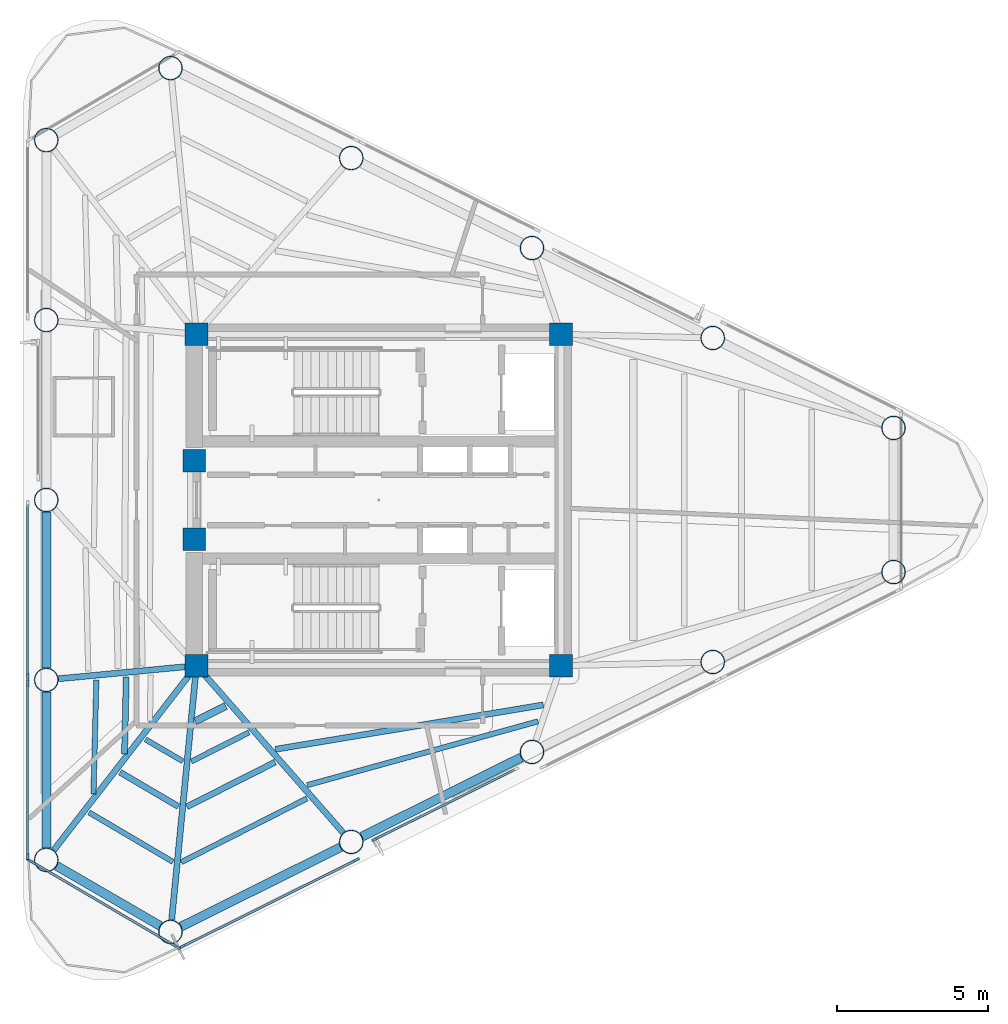
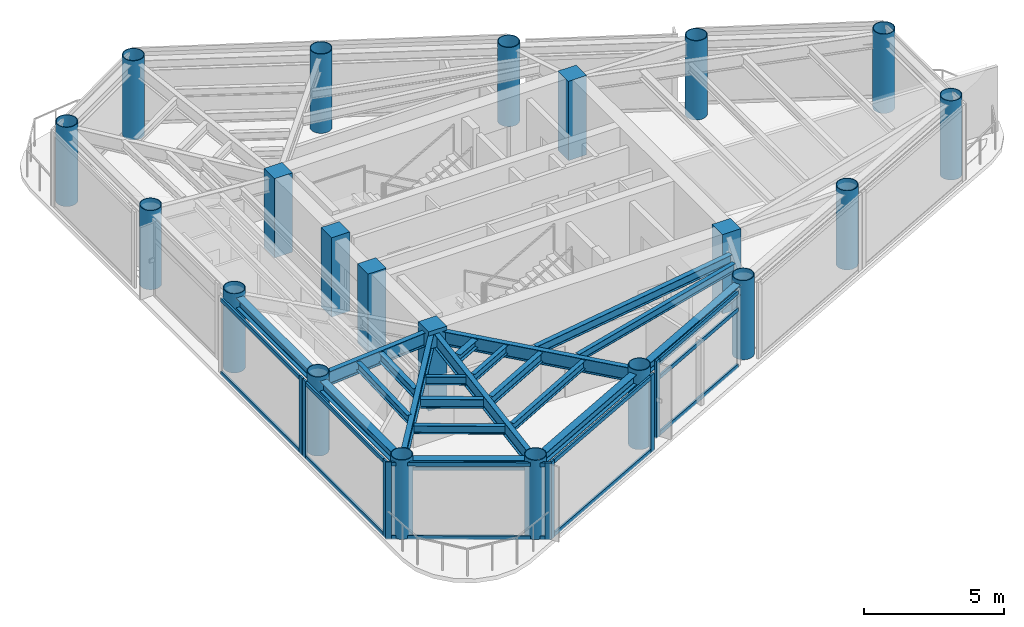
# One storey, part 1 of 10: 21 columns, 20 beams, 19 members, 5 elements without a shape of their own.
"""IFC4 building model written with IfcOpenShell, lengths in metres."""

from ifc_helpers import new_model, si_unit, direction, frame, origin, origin_2d, place, context, subcontext, project, spatial, rectangle, hollow_circle, i_section, extrude, source, transform, mapped, material, layer, layer_set, material_profile, profile_set, type_object, element, aggregate, save


model = new_model("IFC4")

# Units and contexts
model_context = context("Model", 3, precision=1e-05, world=origin(), true_north=direction((0.0, 1.0)))
body_context = subcontext(model_context, "Body", "Model", "MODEL_VIEW")
ifc_project = project(units=[si_unit("LENGTHUNIT", "METRE"), si_unit("AREAUNIT", "SQUARE_METRE"), si_unit("VOLUMEUNIT", "CUBIC_METRE"), si_unit("PLANEANGLEUNIT", "RADIAN"), si_unit("MASSUNIT", "GRAM", prefix="KILO")], contexts=[model_context])

# Site, building, storey
site_placement = place(None, origin())
site = spatial("IfcSite", under=ifc_project, at=site_placement, CompositionType="ELEMENT")
building_placement = place(site_placement, origin())
building = spatial("IfcBuilding", under=site, at=building_placement, Name="Yunling Apex Tower", CompositionType="ELEMENT")
storey_placement = place(building_placement, frame((0.0, 0.0, 289.85009765625)))
storey = spatial("IfcBuildingStorey", under=building, at=storey_placement, Name="L70", CompositionType="ELEMENT", Elevation=289.85009765625)

# Columns
ifc_material_1 = material(Name="Concrete C50", Category="concrete")
ifc_material_profile_1 = material_profile(ifc_material_1, rectangle(XDim=0.75, YDim=0.75, at=origin_2d()))
ifc_profile_set_1 = profile_set([ifc_material_profile_1], Name="Concrete C50")
column_type_1 = type_object("IfcColumnType", Name="PC-SRC-4", PredefinedType="COLUMN", material=ifc_profile_set_1)
shared_shape_1 = source(origin(), body_context, "Body", "SweptSolid", [
    extrude(rectangle(XDim=0.75, YDim=0.75, at=origin_2d()), origin(), (0.0, 0.0, 1.0), 3.449951171875),
])
for number, where, z_axis, x_axis, name in (
    (1, (-6.050048828125, -5.5, 0.0), (0.0, 0.0, 1.0), (1.0, 0.0, 0.0), "L70 Core Spine Column CC-SW"),
    (2, (6.050048828125, -5.5, 0.0), (0.0, 0.0, 1.0), (1.0, 0.0, 0.0), "L70 Core Spine Column CC-SE"),
    (3, (6.050048828125, 5.5, 0.0), (0.0, 0.0, 1.0), (1.0, 0.0, 0.0), "L70 Core Spine Column CC-NE"),
    (4, (-6.050048828125, 5.5, 0.0), (0.0, 0.0, 1.0), (1.0, 0.0, 0.0), "L70 Core Spine Column CC-NW"),
    (5, (-6.125, -1.300048828125, 0.0), (0.0, 0.0, 1.0), (1.0, 0.0, 0.0), "L70 Core West Portal Jamb Column S"),
    (6, (-6.125, 1.300048828125, 0.0), (0.0, 0.0, 1.0), (1.0, 0.0, 0.0), "L70 Core West Portal Jamb Column N"),
):
    element("IfcColumn", number, at=place(storey_placement, frame(where, z_axis=z_axis, x_axis=x_axis)), inside=storey, type_object=column_type_1, Name=name, PredefinedType="COLUMN", context=body_context, shape_type="MappedRepresentation", body=[
        mapped(shared_shape_1, transform((0.0, 0.0, 0.0), scale=1.0)),
    ])
ifc_material_2 = material(Name="Steel Q355B", Category="steel")
ifc_material_profile_2 = material_profile(ifc_material_2, hollow_circle(Radius=0.39990234375, WallThickness=0.028076171875, at=origin_2d()))
ifc_profile_set_2 = profile_set([ifc_material_profile_2], Name="Steel Q355B")
column_type_2 = type_object("IfcColumnType", Name="MC-CFST-7", PredefinedType="COLUMN", material=ifc_profile_set_2)
shared_shape_2 = source(origin(), body_context, "Body", "SweptSolid", [
    extrude(hollow_circle(Radius=0.39990234375, WallThickness=0.028076171875, at=origin_2d()), origin(), (0.0, 0.0, 1.0), 3.449951171875),
])
for number, where, z_axis, x_axis, name in (
    (7, (-6.9140625, -14.336669921875, 0.0), (0.0, 0.0, 1.0), (1.0, 0.0, 0.0), "L70 Perimeter CFST Mega-Column P01"),
    (8, (-0.913818359375, -11.350341796875, 0.0), (0.0, 0.0, 1.0), (1.0, 0.0, 0.0), "L70 Perimeter CFST Mega-Column P02"),
    (9, (5.086181640625, -8.364013671875, 0.0), (0.0, 0.0, 1.0), (1.0, 0.0, 0.0), "L70 Perimeter CFST Mega-Column P03"),
    (10, (11.08642578125, -5.377685546875, 0.0), (0.0, 0.0, 1.0), (1.0, 0.0, 0.0), "L70 Perimeter CFST Mega-Column P04"),
    (11, (17.086669921875, -2.3916015625, 0.0), (0.0, 0.0, 1.0), (1.0, 0.0, 0.0), "L70 Perimeter CFST Mega-Column P05"),
    (12, (17.086669921875, 2.3916015625, 0.0), (0.0, 0.0, 1.0), (1.0, 0.0, 0.0), "L70 Perimeter CFST Mega-Column P06"),
    (13, (11.08642578125, 5.377685546875, 0.0), (0.0, 0.0, 1.0), (1.0, 0.0, 0.0), "L70 Perimeter CFST Mega-Column P07"),
    (14, (5.086181640625, 8.364013671875, 0.0), (0.0, 0.0, 1.0), (1.0, 0.0, 0.0), "L70 Perimeter CFST Mega-Column P08"),
    (15, (-0.913818359375, 11.350341796875, 0.0), (0.0, 0.0, 1.0), (1.0, 0.0, 0.0), "L70 Perimeter CFST Mega-Column P09"),
    (16, (-6.9140625, 14.336669921875, 0.0), (0.0, 0.0, 1.0), (1.0, 0.0, 0.0), "L70 Perimeter CFST Mega-Column P10"),
    (17, (-11.037353515625, 11.9453125, 0.0), (0.0, 0.0, 1.0), (1.0, 0.0, 0.0), "L70 Perimeter CFST Mega-Column P11"),
    (18, (-11.037353515625, 5.97265625, 0.0), (0.0, 0.0, 1.0), (1.0, 0.0, 0.0), "L70 Perimeter CFST Mega-Column P12"),
    (19, (-11.037353515625, 0.0, 0.0), (0.0, 0.0, 1.0), (1.0, 0.0, 0.0), "L70 Perimeter CFST Mega-Column P13"),
    (20, (-11.037353515625, -5.97265625, 0.0), (0.0, 0.0, 1.0), (1.0, 0.0, 0.0), "L70 Perimeter CFST Mega-Column P14"),
    (21, (-11.037353515625, -11.9453125, 0.0), (0.0, 0.0, 1.0), (1.0, 0.0, 0.0), "L70 Perimeter CFST Mega-Column P15"),
):
    element("IfcColumn", number, at=place(storey_placement, frame(where, z_axis=z_axis, x_axis=x_axis)), inside=storey, type_object=column_type_2, Name=name, PredefinedType="COLUMN", context=body_context, shape_type="MappedRepresentation", body=[
        mapped(shared_shape_2, transform((0.0, 0.0, 0.0), scale=1.0)),
    ])

# Beams
ifc_material_profile_3 = material_profile(ifc_material_2, i_section(OverallWidth=0.300048828125, OverallDepth=0.43994140625, WebThickness=0.010986328125, FlangeThickness=0.01806640625, FilletRadius=0.02197265625, at=origin_2d()))
ifc_profile_set_3 = profile_set([ifc_material_profile_3], Name="Steel Q355B")
beam_type_1 = type_object("IfcBeamType", Name="BP-SPN-3", PredefinedType="SPANDREL", material=ifc_profile_set_3)
shared_shape_3 = source(origin(), body_context, "Body", "SweptSolid", [
    extrude(i_section(OverallWidth=0.300048828125, OverallDepth=0.43994140625, WebThickness=0.010986328125, FlangeThickness=0.01806640625, FilletRadius=0.02197265625, at=origin_2d()), origin(), (0.0, 0.0, 1.0), 5.914306640625),
])
for number, where, z_axis, x_axis, name in (
    (22, (-6.561279296875, -14.1611328125, 3.0498046875), (0.895243044542, 0.445578153861, 0.0), (-0.445578153861, 0.895243044542, 0.0), "L70 Perimeter Spandrel Beam 1"),
    (23, (-0.561279296875, -11.1748046875, 3.0498046875), (0.895267705164, 0.445528602999, 0.0), (-0.445528602999, 0.895267705164, 0.0), "L70 Perimeter Spandrel Beam 2"),
):
    element("IfcBeam", number, at=place(storey_placement, frame(where, z_axis=z_axis, x_axis=x_axis)), inside=storey, type_object=beam_type_1, Name=name, PredefinedType="SPANDREL", context=body_context, shape_type="MappedRepresentation", body=[
        mapped(shared_shape_3, transform((0.0, 0.0, 0.0), scale=1.0)),
    ])
shared_shape_4 = source(origin(), body_context, "Body", "SweptSolid", [
    extrude(i_section(OverallWidth=0.300048828125, OverallDepth=0.43994140625, WebThickness=0.010986328125, FlangeThickness=0.01806640625, FilletRadius=0.02197265625, at=origin_2d()), origin(), (0.0, 0.0, 1.0), 3.978515625),
])
beam_1_placement = place(storey_placement, frame((-10.696533203125, -12.142822265625, 3.0498046875), z_axis=(0.86503811344, -0.501706151343, 0.0), x_axis=(0.501706151343, 0.86503811344, 0.0)))
element("IfcBeam", 24, at=beam_1_placement, inside=storey, type_object=beam_type_1, Name="L70 Perimeter Spandrel Beam 15", PredefinedType="SPANDREL", context=body_context, shape_type="MappedRepresentation", body=[
    mapped(shared_shape_4, transform((0.0, 0.0, 0.0), scale=1.0)),
])
shared_shape_5 = source(origin(), body_context, "Body", "SweptSolid", [
    extrude(i_section(OverallWidth=0.300048828125, OverallDepth=0.43994140625, WebThickness=0.010986328125, FlangeThickness=0.01806640625, FilletRadius=0.02197265625, at=origin_2d()), origin(), (0.0, 0.0, 1.0), 5.1845703125),
])
for number, where, z_axis, x_axis, name in (
    (25, (-11.037353515625, -0.39404296875, 3.0498046875), (0.0, -1.0, 0.0), (1.0, 0.0, 0.0), "L70 Perimeter Spandrel Beam 13"),
    (26, (-11.037353515625, -6.36669921875, 3.0498046875), (0.0, -1.0, 0.0), (1.0, 0.0, 0.0), "L70 Perimeter Spandrel Beam 14"),
):
    element("IfcBeam", number, at=place(storey_placement, frame(where, z_axis=z_axis, x_axis=x_axis)), inside=storey, type_object=beam_type_1, Name=name, PredefinedType="SPANDREL", context=body_context, shape_type="MappedRepresentation", body=[
        mapped(shared_shape_5, transform((0.0, 0.0, 0.0), scale=1.0)),
    ])
ifc_material_profile_4 = material_profile(ifc_material_2, i_section(OverallWidth=0.199951171875, OverallDepth=0.60009765625, WebThickness=0.010986328125, FlangeThickness=0.01708984375, FilletRadius=0.02197265625, at=origin_2d()))
ifc_profile_set_4 = profile_set([ifc_material_profile_4], Name="Steel Q355B")
beam_type_2 = type_object("IfcBeamType", Name="BG-PRI-5", PredefinedType="USERDEFINED", material=ifc_profile_set_4)
shared_shape_6 = source(origin(), body_context, "Body", "SweptSolid", [
    extrude(i_section(OverallWidth=0.199951171875, OverallDepth=0.60009765625, WebThickness=0.010986328125, FlangeThickness=0.01708984375, FilletRadius=0.02197265625, at=origin_2d()), origin(), (0.0, 0.0, 1.0), 8.390869140625),
])
beam_2_placement = place(storey_placement, frame((-6.874267578125, -13.9306640625, 2.969970703125), z_axis=(0.097296792844, 0.995255411491, 0.0), x_axis=(-0.995255411491, 0.097296792844, 0.0)))
element("IfcBeam", 27, at=beam_2_placement, inside=storey, type_object=beam_type_2, Name="L70 Radial Primary Girder R01", ObjectType="GIRDER", PredefinedType="USERDEFINED", context=body_context, shape_type="MappedRepresentation", body=[
    mapped(shared_shape_6, transform((0.0, 0.0, 0.0), scale=1.0)),
])
shared_shape_7 = source(origin(), body_context, "Body", "SweptSolid", [
    extrude(i_section(OverallWidth=0.199951171875, OverallDepth=0.60009765625, WebThickness=0.010986328125, FlangeThickness=0.01708984375, FilletRadius=0.02197265625, at=origin_2d()), origin(), (0.0, 0.0, 1.0), 7.297119140625),
])
beam_3_placement = place(storey_placement, frame((-1.18310546875, -11.043701171875, 2.969970703125), z_axis=(-0.659747259747, 0.751487560281, 0.0), x_axis=(-0.751487560281, -0.659747259747, 0.0)))
element("IfcBeam", 28, at=beam_3_placement, inside=storey, type_object=beam_type_2, Name="L70 Radial Primary Girder R02", ObjectType="GIRDER", PredefinedType="USERDEFINED", context=body_context, shape_type="MappedRepresentation", body=[
    mapped(shared_shape_7, transform((0.0, 0.0, 0.0), scale=1.0)),
])
shared_shape_8 = source(origin(), body_context, "Body", "SweptSolid", [
    extrude(i_section(OverallWidth=0.199951171875, OverallDepth=0.60009765625, WebThickness=0.010986328125, FlangeThickness=0.01708984375, FilletRadius=0.02197265625, at=origin_2d()), origin(), (0.0, 0.0, 1.0), 7.661376953125),
])
beam_4_placement = place(storey_placement, frame((-10.78759765625, -11.62255859375, 2.969970703125), z_axis=(0.611959789037, 0.790888877531, 0.0), x_axis=(-0.790888877531, 0.611959789037, 0.0)))
element("IfcBeam", 29, at=beam_4_placement, inside=storey, type_object=beam_type_2, Name="L70 Radial Primary Girder R15", ObjectType="GIRDER", PredefinedType="USERDEFINED", context=body_context, shape_type="MappedRepresentation", body=[
    mapped(shared_shape_8, transform((0.0, 0.0, 0.0), scale=1.0)),
])
shared_shape_9 = source(origin(), body_context, "Body", "SweptSolid", [
    extrude(i_section(OverallWidth=0.199951171875, OverallDepth=0.60009765625, WebThickness=0.010986328125, FlangeThickness=0.01708984375, FilletRadius=0.02197265625, at=origin_2d()), origin(), (0.0, 0.0, 1.0), 4.521728515625),
])
beam_5_placement = place(storey_placement, frame((-10.631103515625, -5.93408203125, 2.969970703125), z_axis=(0.99554122067, 0.094327503661, 0.0), x_axis=(-0.094327503661, 0.99554122067, 0.0)))
element("IfcBeam", 30, at=beam_5_placement, inside=storey, type_object=beam_type_2, Name="L70 Radial Primary Girder R14", ObjectType="GIRDER", PredefinedType="USERDEFINED", context=body_context, shape_type="MappedRepresentation", body=[
    mapped(shared_shape_9, transform((0.0, 0.0, 0.0), scale=1.0)),
])
ifc_material_profile_5 = material_profile(ifc_material_2, i_section(OverallWidth=0.199951171875, OverallDepth=0.39990234375, WebThickness=0.008056640625, FlangeThickness=0.012939453125, FilletRadius=0.01611328125, at=origin_2d()))
ifc_profile_set_5 = profile_set([ifc_material_profile_5], Name="Steel Q355B")
beam_type_3 = type_object("IfcBeamType", Name="BS-SEC-4", PredefinedType="BEAM", material=ifc_profile_set_5)
shared_shape_10 = source(origin(), body_context, "Body", "SweptSolid", [
    extrude(i_section(OverallWidth=0.199951171875, OverallDepth=0.39990234375, WebThickness=0.008056640625, FlangeThickness=0.012939453125, FilletRadius=0.01611328125, at=origin_2d()), origin(), (0.0, 0.0, 1.0), 3.281494140625),
])
beam_6_placement = place(storey_placement, frame((-6.372314453125, -10.18408203125, 3.06982421875), z_axis=(0.892364297468, 0.451315810275, 0.0), x_axis=(-0.451315810275, 0.892364297468, 0.0)))
element("IfcBeam", 31, at=beam_6_placement, inside=storey, type_object=beam_type_3, Name="L70 Composite Floor Beam BS-1", PredefinedType="BEAM", context=body_context, shape_type="MappedRepresentation", body=[
    mapped(shared_shape_10, transform((0.0, 0.0, 0.0), scale=1.0)),
])
ifc_material_profile_6 = material_profile(ifc_material_2, i_section(OverallWidth=0.175048828125, OverallDepth=0.35009765625, WebThickness=0.007080078125, FlangeThickness=0.010986328125, FilletRadius=0.013916015625, at=origin_2d()))
ifc_profile_set_6 = profile_set([ifc_material_profile_6], Name="Steel Q355B")
beam_type_4 = type_object("IfcBeamType", Name="BJ-JST-1", PredefinedType="JOIST", material=ifc_profile_set_6)
shared_shape_11 = source(origin(), body_context, "Body", "SweptSolid", [
    extrude(i_section(OverallWidth=0.175048828125, OverallDepth=0.35009765625, WebThickness=0.007080078125, FlangeThickness=0.010986328125, FilletRadius=0.013916015625, at=origin_2d()), origin(), (0.0, 0.0, 1.0), 4.67138671875),
])
beam_7_placement = place(storey_placement, frame((-6.552001953125, -12.02099609375, 3.094970703125), z_axis=(0.892031280848, 0.45197366515, 0.0), x_axis=(-0.45197366515, 0.892031280848, 0.0)))
element("IfcBeam", 32, at=beam_7_placement, inside=storey, type_object=beam_type_4, Name="L70 Composite Floor Joist BJ1-1", PredefinedType="JOIST", context=body_context, shape_type="MappedRepresentation", body=[
    mapped(shared_shape_11, transform((0.0, 0.0, 0.0), scale=1.0)),
])
shared_shape_12 = source(origin(), body_context, "Body", "SweptSolid", [
    extrude(i_section(OverallWidth=0.175048828125, OverallDepth=0.35009765625, WebThickness=0.007080078125, FlangeThickness=0.010986328125, FilletRadius=0.013916015625, at=origin_2d()), origin(), (0.0, 0.0, 1.0), 2.143798828125),
])
beam_8_placement = place(storey_placement, frame((-6.22509765625, -8.680908203125, 3.094970703125), z_axis=(0.892941835578, 0.45017205408, 0.0), x_axis=(-0.45017205408, 0.892941835578, 0.0)))
element("IfcBeam", 33, at=beam_8_placement, inside=storey, type_object=beam_type_4, Name="L70 Composite Floor Joist BJ3-1", PredefinedType="JOIST", context=body_context, shape_type="MappedRepresentation", body=[
    mapped(shared_shape_12, transform((0.0, 0.0, 0.0), scale=1.0)),
])
ifc_material_profile_7 = material_profile(ifc_material_2, i_section(OverallWidth=0.25, OverallDepth=0.340087890625, WebThickness=0.009033203125, FlangeThickness=0.013916015625, FilletRadius=0.01806640625, at=origin_2d()))
ifc_profile_set_7 = profile_set([ifc_material_profile_7], Name="Steel Q355B")
beam_type_5 = type_object("IfcBeamType", Name="BJ-JST-2", PredefinedType="JOIST", material=ifc_profile_set_7)
shared_shape_13 = source(origin(), body_context, "Body", "SweptSolid", [
    extrude(i_section(OverallWidth=0.25, OverallDepth=0.340087890625, WebThickness=0.009033203125, FlangeThickness=0.013916015625, FilletRadius=0.01806640625, at=origin_2d()), origin(), (0.0, 0.0, 1.0), 1.1328125),
])
beam_9_placement = place(storey_placement, frame((-6.09423828125, -7.34521484375, 3.099853515625), z_axis=(0.894211562533, 0.447644592765, 0.0), x_axis=(-0.447644592765, 0.894211562533, 0.0)))
element("IfcBeam", 34, at=beam_9_placement, inside=storey, type_object=beam_type_5, Name="L70 Composite Floor Joist BJ2-1", PredefinedType="JOIST", context=body_context, shape_type="MappedRepresentation", body=[
    mapped(shared_shape_13, transform((0.0, 0.0, 0.0), scale=1.0)),
])
shared_shape_14 = source(origin(), body_context, "Body", "SweptSolid", [
    extrude(i_section(OverallWidth=0.199951171875, OverallDepth=0.39990234375, WebThickness=0.008056640625, FlangeThickness=0.012939453125, FilletRadius=0.01611328125, at=origin_2d()), origin(), (0.0, 0.0, 1.0), 9.01611328125),
])
beam_10_placement = place(storey_placement, frame((-3.432373046875, -8.27587890625, 3.06982421875), z_axis=(0.986561729833, 0.163388962996, 0.0), x_axis=(-0.163388962996, 0.986561729833, 0.0)))
element("IfcBeam", 35, at=beam_10_placement, inside=storey, type_object=beam_type_3, Name="L70 Composite Floor Beam BS-2", PredefinedType="BEAM", context=body_context, shape_type="MappedRepresentation", body=[
    mapped(shared_shape_14, transform((0.0, 0.0, 0.0), scale=1.0)),
])
shared_shape_15 = source(origin(), body_context, "Body", "SweptSolid", [
    extrude(i_section(OverallWidth=0.175048828125, OverallDepth=0.35009765625, WebThickness=0.007080078125, FlangeThickness=0.010986328125, FilletRadius=0.013916015625, at=origin_2d()), origin(), (0.0, 0.0, 1.0), 7.952392578125),
])
beam_11_placement = place(storey_placement, frame((-2.376708984375, -9.4658203125, 3.094970703125), z_axis=(0.963874198485, 0.266357897377, 0.0), x_axis=(-0.266357897377, 0.963874198485, 0.0)))
element("IfcBeam", 36, at=beam_11_placement, inside=storey, type_object=beam_type_4, Name="L70 Composite Floor Joist BJ1-2", PredefinedType="JOIST", context=body_context, shape_type="MappedRepresentation", body=[
    mapped(shared_shape_15, transform((0.0, 0.0, 0.0), scale=1.0)),
])
shared_shape_16 = source(origin(), body_context, "Body", "SweptSolid", [
    extrude(i_section(OverallWidth=0.199951171875, OverallDepth=0.39990234375, WebThickness=0.008056640625, FlangeThickness=0.012939453125, FilletRadius=0.01611328125, at=origin_2d()), origin(), (0.0, 0.0, 1.0), 2.552734375),
])
beam_12_placement = place(storey_placement, frame((-8.3837890625, -5.880859375, 3.06982421875), z_axis=(-0.021902331041, -0.999760115175, 0.0), x_axis=(0.999760115175, -0.021902331041, 0.0)))
element("IfcBeam", 37, at=beam_12_placement, inside=storey, type_object=beam_type_3, Name="L70 Composite Floor Beam BS-14", PredefinedType="BEAM", context=body_context, shape_type="MappedRepresentation", body=[
    mapped(shared_shape_16, transform((0.0, 0.0, 0.0), scale=1.0)),
])
shared_shape_17 = source(origin(), body_context, "Body", "SweptSolid", [
    extrude(i_section(OverallWidth=0.175048828125, OverallDepth=0.35009765625, WebThickness=0.007080078125, FlangeThickness=0.010986328125, FilletRadius=0.013916015625, at=origin_2d()), origin(), (0.0, 0.0, 1.0), 3.792724609375),
])
beam_13_placement = place(storey_placement, frame((-9.374755859375, -5.974609375, 3.094970703125), z_axis=(-0.02529776075, -0.999679960438, 0.0), x_axis=(0.999679960438, -0.02529776075, 0.0)))
element("IfcBeam", 38, at=beam_13_placement, inside=storey, type_object=beam_type_4, Name="L70 Composite Floor Joist BJ1-14", PredefinedType="JOIST", context=body_context, shape_type="MappedRepresentation", body=[
    mapped(shared_shape_17, transform((0.0, 0.0, 0.0), scale=1.0)),
])
shared_shape_18 = source(origin(), body_context, "Body", "SweptSolid", [
    extrude(i_section(OverallWidth=0.199951171875, OverallDepth=0.39990234375, WebThickness=0.008056640625, FlangeThickness=0.012939453125, FilletRadius=0.01611328125, at=origin_2d()), origin(), (0.0, 0.0, 1.0), 2.243408203125),
])
beam_14_placement = place(storey_placement, frame((-8.586669921875, -9.03759765625, 3.06982421875), z_axis=(0.861925822056, -0.507034394566, 0.0), x_axis=(0.507034394566, 0.861925822056, 0.0)))
element("IfcBeam", 39, at=beam_14_placement, inside=storey, type_object=beam_type_3, Name="L70 Composite Floor Beam BS-15", PredefinedType="BEAM", context=body_context, shape_type="MappedRepresentation", body=[
    mapped(shared_shape_18, transform((0.0, 0.0, 0.0), scale=1.0)),
])
shared_shape_19 = source(origin(), body_context, "Body", "SweptSolid", [
    extrude(i_section(OverallWidth=0.175048828125, OverallDepth=0.35009765625, WebThickness=0.007080078125, FlangeThickness=0.010986328125, FilletRadius=0.013916015625, at=origin_2d()), origin(), (0.0, 0.0, 1.0), 3.233642578125),
])
beam_15_placement = place(storey_placement, frame((-9.618408203125, -10.37060546875, 3.094970703125), z_axis=(0.861549665957, -0.507673293655, 0.0), x_axis=(0.507673293655, 0.861549665957, 0.0)))
element("IfcBeam", 40, at=beam_15_placement, inside=storey, type_object=beam_type_4, Name="L70 Composite Floor Joist BJ1-15", PredefinedType="JOIST", context=body_context, shape_type="MappedRepresentation", body=[
    mapped(shared_shape_19, transform((0.0, 0.0, 0.0), scale=1.0)),
])
shared_shape_20 = source(origin(), body_context, "Body", "SweptSolid", [
    extrude(i_section(OverallWidth=0.175048828125, OverallDepth=0.35009765625, WebThickness=0.007080078125, FlangeThickness=0.010986328125, FilletRadius=0.013916015625, at=origin_2d()), origin(), (0.0, 0.0, 1.0), 1.43359375),
])
beam_16_placement = place(storey_placement, frame((-7.74267578125, -7.94677734375, 3.094970703125), z_axis=(0.862559589494, -0.50595548675, 0.0), x_axis=(0.50595548675, 0.862559589494, 0.0)))
element("IfcBeam", 41, at=beam_16_placement, inside=storey, type_object=beam_type_4, Name="L70 Composite Floor Joist BJ3-15", PredefinedType="JOIST", context=body_context, shape_type="MappedRepresentation", body=[
    mapped(shared_shape_20, transform((0.0, 0.0, 0.0), scale=1.0)),
])

# Curtain wall, members
ifc_material_3 = material(Name="Bronze anodised aluminium", Category="aluminium")
ifc_layer = layer(ifc_material_3, 0.219970703125)
ifc_layer_set = layer_set([ifc_layer], Name="Bronze anodised aluminium")
curtain_wall_type = type_object("IfcCurtainWallType", Name="CW-SYS-4", PredefinedType="NOTDEFINED", material=ifc_layer_set)
curtain_wall_1_placement = place(storey_placement, origin())
curtain_wall_1 = element("IfcCurtainWall", 42, at=curtain_wall_1_placement, inside=storey, type_object=curtain_wall_type, Name="CW-L70-F1-B1", PredefinedType="NOTDEFINED")
ifc_material_profile_8 = material_profile(ifc_material_3, rectangle(XDim=0.080078125, YDim=0.219970703125, at=origin_2d()))
ifc_profile_set_8 = profile_set([ifc_material_profile_8], Name="Bronze anodised aluminium")
member_type_1 = type_object("IfcMemberType", Name="CW-MUL-4", PredefinedType="MULLION", material=ifc_profile_set_8)
shared_shape_21 = source(origin(), body_context, "Body", "SweptSolid", [
    extrude(rectangle(XDim=0.080078125, YDim=0.219970703125, at=origin_2d()), origin(), (0.0, 0.0, 1.0), 3.369873046875),
])
member_1_placement = place(storey_placement, frame((-6.534912109375, -14.829345703125, -0.050048828125), z_axis=(0.0, 0.0, 1.0), x_axis=(-0.445568135078, 0.895248030996, 0.0)))
member_1 = element("IfcMember", 43, at=member_1_placement, type_object=member_type_1, Name="CW-SYS-4 mullion 1", PredefinedType="MULLION", context=body_context, shape_type="MappedRepresentation", body=[
    mapped(shared_shape_21, transform((0.0, 0.0, 0.0), scale=1.0)),
])
member_2_placement = place(storey_placement, frame((-0.74951171875, -11.949951171875, -0.050048828125), z_axis=(0.0, 0.0, 1.0), x_axis=(-0.445568135078, 0.895248030996, 0.0)))
member_2 = element("IfcMember", 44, at=member_2_placement, type_object=member_type_1, Name="CW-SYS-4 mullion 2", PredefinedType="MULLION", context=body_context, shape_type="MappedRepresentation", body=[
    mapped(shared_shape_21, transform((0.0, 0.0, 0.0), scale=1.0)),
])

# Curtain wall, member
curtain_wall_2_placement = place(storey_placement, origin())
curtain_wall_2 = element("IfcCurtainWall", 45, at=curtain_wall_2_placement, inside=storey, type_object=curtain_wall_type, Name="CW-L70-F1-B2", PredefinedType="NOTDEFINED")
member_3_placement = place(storey_placement, frame((-0.131103515625, -11.262451171875, -0.050048828125), z_axis=(0.0, 0.0, 1.0), x_axis=(-0.445560721723, 0.895251720611, 0.0)))
member_3 = element("IfcMember", 46, at=member_3_placement, type_object=member_type_1, Name="CW-SYS-4 mullion 1", PredefinedType="MULLION", context=body_context, shape_type="MappedRepresentation", body=[
    mapped(shared_shape_21, transform((0.0, 0.0, 0.0), scale=1.0)),
])

curtain_wall_3_placement = place(storey_placement, origin())
curtain_wall_3 = element("IfcCurtainWall", 47, at=curtain_wall_3_placement, inside=storey, type_object=curtain_wall_type, Name="CW-L70-F3-B3", PredefinedType="NOTDEFINED")
member_4_placement = place(storey_placement, frame((-11.647216796875, -5.8525390625, -0.050048828125), z_axis=(0.0, 0.0, 1.0), x_axis=(1.0, 0.0, 0.0)))
member_4 = element("IfcMember", 48, at=member_4_placement, type_object=member_type_1, Name="CW-SYS-4 mullion 2", PredefinedType="MULLION", context=body_context, shape_type="MappedRepresentation", body=[
    mapped(shared_shape_21, transform((0.0, 0.0, 0.0), scale=1.0)),
])

# Curtain wall, members
curtain_wall_4_placement = place(storey_placement, origin())
curtain_wall_4 = element("IfcCurtainWall", 49, at=curtain_wall_4_placement, inside=storey, type_object=curtain_wall_type, Name="CW-L70-F3-B4", PredefinedType="NOTDEFINED")
member_5_placement = place(storey_placement, frame((-11.647216796875, -6.092529296875, -0.050048828125), z_axis=(0.0, 0.0, 1.0), x_axis=(1.0, 0.0, 0.0)))
member_5 = element("IfcMember", 50, at=member_5_placement, type_object=member_type_1, Name="CW-SYS-4 mullion 1", PredefinedType="MULLION", context=body_context, shape_type="MappedRepresentation", body=[
    mapped(shared_shape_21, transform((0.0, 0.0, 0.0), scale=1.0)),
])
member_6_placement = place(storey_placement, frame((-11.647216796875, -11.8251953125, -0.050048828125), z_axis=(0.0, 0.0, 1.0), x_axis=(1.0, 0.0, 0.0)))
member_6 = element("IfcMember", 51, at=member_6_placement, type_object=member_type_1, Name="CW-SYS-4 mullion 2", PredefinedType="MULLION", context=body_context, shape_type="MappedRepresentation", body=[
    mapped(shared_shape_21, transform((0.0, 0.0, 0.0), scale=1.0)),
])

curtain_wall_5_placement = place(storey_placement, origin())
curtain_wall_5 = element("IfcCurtainWall", 52, at=curtain_wall_5_placement, inside=storey, type_object=curtain_wall_type, Name="CW-L70-CRN3", PredefinedType="NOTDEFINED")
member_7_placement = place(storey_placement, frame((-11.5927734375, -11.96533203125, -0.050048828125), z_axis=(0.0, 0.0, 1.0), x_axis=(0.506069970256, 0.862492426173, 0.0)))
member_7 = element("IfcMember", 53, at=member_7_placement, type_object=member_type_1, Name="CW-SYS-4 mullion 1", PredefinedType="MULLION", context=body_context, shape_type="MappedRepresentation", body=[
    mapped(shared_shape_21, transform((0.0, 0.0, 0.0), scale=1.0)),
])
member_8_placement = place(storey_placement, frame((-6.685546875, -14.8447265625, -0.050048828125), z_axis=(0.0, 0.0, 1.0), x_axis=(0.506069970256, 0.862492426173, 0.0)))
member_8 = element("IfcMember", 54, at=member_8_placement, type_object=member_type_1, Name="CW-SYS-4 mullion 2", PredefinedType="MULLION", context=body_context, shape_type="MappedRepresentation", body=[
    mapped(shared_shape_21, transform((0.0, 0.0, 0.0), scale=1.0)),
])

# Member
ifc_material_profile_9 = material_profile(ifc_material_3, rectangle(XDim=0.080078125, YDim=0.169921875, at=origin_2d()))
ifc_profile_set_9 = profile_set([ifc_material_profile_9], Name="Bronze anodised aluminium")
member_type_2 = type_object("IfcMemberType", Name="CW-TRN-4", PredefinedType="USERDEFINED", material=ifc_profile_set_9)
shared_shape_22 = source(origin(), body_context, "Body", "SweptSolid", [
    extrude(rectangle(XDim=0.080078125, YDim=0.169921875, at=origin_2d()), origin(), (0.0, 0.0, 1.0), 6.39013671875),
])
member_9_placement = place(storey_placement, frame((-6.50244140625, -14.813232421875, 0.039794921875), z_axis=(0.89525092504, 0.445562320238, 0.0), x_axis=(-0.445562320238, 0.89525092504, 0.0)))
member_9 = element("IfcMember", 55, at=member_9_placement, type_object=member_type_2, Name="CW-SYS-4 transom 1.1", ObjectType="TRANSOM", PredefinedType="USERDEFINED", context=body_context, shape_type="MappedRepresentation", body=[
    mapped(shared_shape_22, transform((0.0, 0.0, 0.0), scale=1.0)),
])

member_10_placement = place(storey_placement, frame((-6.50244140625, -14.813232421875, 3.22998046875), z_axis=(0.89525092504, 0.445562320238, 0.0), x_axis=(-0.445562320238, 0.89525092504, 0.0)))
member_10 = element("IfcMember", 56, at=member_10_placement, type_object=member_type_2, Name="CW-SYS-4 transom 1.2", ObjectType="TRANSOM", PredefinedType="USERDEFINED", context=body_context, shape_type="MappedRepresentation", body=[
    mapped(shared_shape_22, transform((0.0, 0.0, 0.0), scale=1.0)),
])

aggregate(curtain_wall_1, [member_1, member_2, member_9, member_10])

shared_shape_23 = source(origin(), body_context, "Body", "SweptSolid", [
    extrude(rectangle(XDim=0.080078125, YDim=0.169921875, at=origin_2d()), origin(), (0.0, 0.0, 1.0), 5.150390625),
])
member_11_placement = place(storey_placement, frame((-0.098876953125, -11.246337890625, 0.039794921875), z_axis=(0.895259933779, 0.445544218871, 0.0), x_axis=(-0.445544218871, 0.895259933779, 0.0)))
member_11 = element("IfcMember", 57, at=member_11_placement, type_object=member_type_2, Name="CW-SYS-4 transom 1.1", ObjectType="TRANSOM", PredefinedType="USERDEFINED", context=body_context, shape_type="MappedRepresentation", body=[
    mapped(shared_shape_23, transform((0.0, 0.0, 0.0), scale=1.0)),
])

member_12_placement = place(storey_placement, frame((-0.098876953125, -11.246337890625, 2.485107421875), z_axis=(0.895259933779, 0.445544218871, 0.0), x_axis=(-0.445544218871, 0.895259933779, 0.0)))
member_12 = element("IfcMember", 58, at=member_12_placement, type_object=member_type_2, Name="CW-SYS-4 transom 1.2", ObjectType="TRANSOM", PredefinedType="USERDEFINED", context=body_context, shape_type="MappedRepresentation", body=[
    mapped(shared_shape_23, transform((0.0, 0.0, 0.0), scale=1.0)),
])

member_13_placement = place(storey_placement, frame((-0.098876953125, -11.246337890625, 3.22998046875), z_axis=(0.895259933779, 0.445544218871, 0.0), x_axis=(-0.445544218871, 0.895259933779, 0.0)))
member_13 = element("IfcMember", 59, at=member_13_placement, type_object=member_type_2, Name="CW-SYS-4 transom 1.3", ObjectType="TRANSOM", PredefinedType="USERDEFINED", context=body_context, shape_type="MappedRepresentation", body=[
    mapped(shared_shape_23, transform((0.0, 0.0, 0.0), scale=1.0)),
])

aggregate(curtain_wall_2, [member_3, member_11, member_12, member_13])

shared_shape_24 = source(origin(), body_context, "Body", "SweptSolid", [
    extrude(rectangle(XDim=0.080078125, YDim=0.169921875, at=origin_2d()), origin(), (0.0, 0.0, 1.0), 5.61767578125),
])
member_14_placement = place(storey_placement, frame((-11.561767578125, -11.983642578125, 0.039794921875), z_axis=(0.862486715055, -0.506079703558, 0.0), x_axis=(0.506079703558, 0.862486715055, 0.0)))
member_14 = element("IfcMember", 60, at=member_14_placement, type_object=member_type_2, Name="CW-SYS-4 transom 1.1", ObjectType="TRANSOM", PredefinedType="USERDEFINED", context=body_context, shape_type="MappedRepresentation", body=[
    mapped(shared_shape_24, transform((0.0, 0.0, 0.0), scale=1.0)),
])

member_15_placement = place(storey_placement, frame((-11.561767578125, -11.983642578125, 3.22998046875), z_axis=(0.862486715055, -0.506079703558, 0.0), x_axis=(0.506079703558, 0.862486715055, 0.0)))
member_15 = element("IfcMember", 61, at=member_15_placement, type_object=member_type_2, Name="CW-SYS-4 transom 1.2", ObjectType="TRANSOM", PredefinedType="USERDEFINED", context=body_context, shape_type="MappedRepresentation", body=[
    mapped(shared_shape_24, transform((0.0, 0.0, 0.0), scale=1.0)),
])

aggregate(curtain_wall_5, [member_7, member_8, member_14, member_15])

shared_shape_25 = source(origin(), body_context, "Body", "SweptSolid", [
    extrude(rectangle(XDim=0.080078125, YDim=0.169921875, at=origin_2d()), origin(), (0.0, 0.0, 1.0), 5.66064453125),
])
member_16_placement = place(storey_placement, frame((-11.647216796875, -0.156005859375, 0.039794921875), z_axis=(0.0, -1.0, 0.0), x_axis=(1.0, 0.0, 0.0)))
member_16 = element("IfcMember", 62, at=member_16_placement, type_object=member_type_2, Name="CW-SYS-4 transom 1.1", ObjectType="TRANSOM", PredefinedType="USERDEFINED", context=body_context, shape_type="MappedRepresentation", body=[
    mapped(shared_shape_25, transform((0.0, 0.0, 0.0), scale=1.0)),
])

member_17_placement = place(storey_placement, frame((-11.647216796875, -0.156005859375, 3.22998046875), z_axis=(0.0, -1.0, 0.0), x_axis=(1.0, 0.0, 0.0)))
member_17 = element("IfcMember", 63, at=member_17_placement, type_object=member_type_2, Name="CW-SYS-4 transom 1.2", ObjectType="TRANSOM", PredefinedType="USERDEFINED", context=body_context, shape_type="MappedRepresentation", body=[
    mapped(shared_shape_25, transform((0.0, 0.0, 0.0), scale=1.0)),
])

aggregate(curtain_wall_3, [member_4, member_16, member_17])

member_18_placement = place(storey_placement, frame((-11.647216796875, -6.128662109375, 0.039794921875), z_axis=(0.0, -1.0, 0.0), x_axis=(1.0, 0.0, 0.0)))
member_18 = element("IfcMember", 64, at=member_18_placement, type_object=member_type_2, Name="CW-SYS-4 transom 1.1", ObjectType="TRANSOM", PredefinedType="USERDEFINED", context=body_context, shape_type="MappedRepresentation", body=[
    mapped(shared_shape_25, transform((0.0, 0.0, 0.0), scale=1.0)),
])

member_19_placement = place(storey_placement, frame((-11.647216796875, -6.128662109375, 3.22998046875), z_axis=(0.0, -1.0, 0.0), x_axis=(1.0, 0.0, 0.0)))
member_19 = element("IfcMember", 65, at=member_19_placement, type_object=member_type_2, Name="CW-SYS-4 transom 1.2", ObjectType="TRANSOM", PredefinedType="USERDEFINED", context=body_context, shape_type="MappedRepresentation", body=[
    mapped(shared_shape_25, transform((0.0, 0.0, 0.0), scale=1.0)),
])

aggregate(curtain_wall_4, [member_5, member_6, member_18, member_19])

save(model, "model.ifc")
